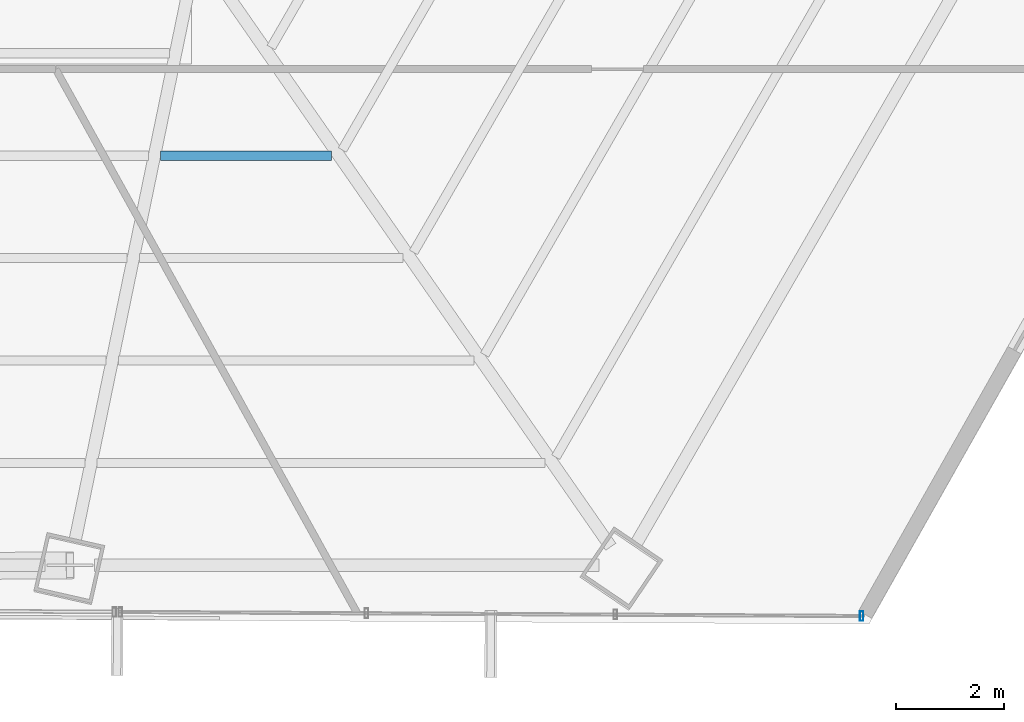
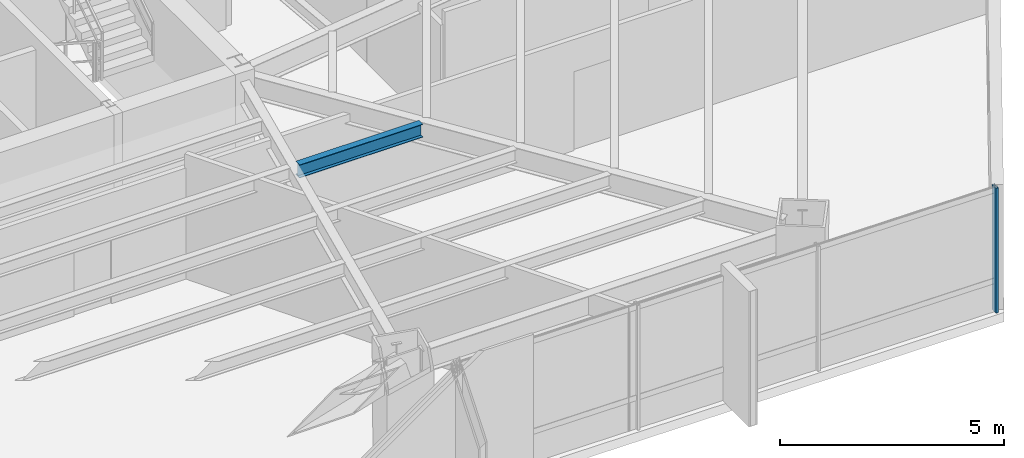
# One storey, part 17 of 36: 1 beam, 1 member, 1 element without a shape of its own.
"""IFC4 building model written with IfcOpenShell, lengths in metres."""

from ifc_helpers import new_model, si_unit, direction, frame, origin, origin_2d, place, context, subcontext, project, spatial, hollow_rectangle, i_section, extrude, source, transform, mapped, material, material_profile, profile_set, type_object, type_shapes, element, aggregate, save


model = new_model("IFC4")

# Units and contexts
model_context = context("Model", 3, precision=1e-05, world=origin(), true_north=direction((0.0, 1.0)))
body_context = subcontext(model_context, "Body", "Model", "MODEL_VIEW")
ifc_project = project(units=[si_unit("LENGTHUNIT", "METRE"), si_unit("AREAUNIT", "SQUARE_METRE"), si_unit("VOLUMEUNIT", "CUBIC_METRE"), si_unit("PLANEANGLEUNIT", "RADIAN"), si_unit("MASSUNIT", "GRAM", prefix="KILO")], contexts=[model_context])

# Site, building, storey
site_placement = place(None, origin())
site = spatial("IfcSite", under=ifc_project, at=site_placement, CompositionType="ELEMENT")
building_placement = place(site_placement, origin())
building = spatial("IfcBuilding", under=site, at=building_placement, Name="Caelisora Broadcast Tower", CompositionType="ELEMENT")
storey_placement = place(building_placement, frame((0.0, 0.0, 83.5)))
storey = spatial("IfcBuildingStorey", under=building, at=storey_placement, Name="L21", CompositionType="ELEMENT", Elevation=83.5)

# Beam
ifc_material_1 = material(Name="Steel Grade 350 (AS/NZS 3679.1)", Category="steel")
ifc_material_profile_1 = material_profile(ifc_material_1, i_section(OverallWidth=0.172119140625, OverallDepth=0.358642578125, WebThickness=0.008056640625, FlangeThickness=0.012939453125, at=origin_2d()), Name="Steel Grade 350 (AS/NZS 3679.1)")
ifc_profile_set_1 = profile_set([ifc_material_profile_1], Name="Steel Grade 350 (AS/NZS 3679.1)")
beam_type = type_object("IfcBeamType", Name="SB02", PredefinedType="JOIST", material=ifc_profile_set_1)
shared_shape_1 = source(origin(), body_context, "Body", "SweptSolid", [
    extrude(i_section(OverallWidth=0.172119140625, OverallDepth=0.358642578125, WebThickness=0.008056640625, FlangeThickness=0.012939453125, at=origin_2d()), origin(), (0.0, 0.0, 1.0), 3.1806640625),
])
type_shapes(beam_type, [shared_shape_1])
beam_placement = place(storey_placement, frame((44.828369140625, 13.59326171875, 3.220703125), z_axis=(1.0, 0.0, 0.0), x_axis=(0.0, 1.0, 0.0)))
element("IfcBeam", 1, at=beam_placement, inside=storey, type_object=beam_type, Name="L21 beam SB02", PredefinedType="JOIST", context=body_context, shape_type="MappedRepresentation", body=[
    mapped(shared_shape_1, transform((0.0, 0.0, 0.0), scale=1.0)),
])

# Curtain wall, member
ifc_material_2 = material(Name="Unitised Aluminium and Low-E Glass Curtain Wall", Category="glass")
curtain_wall_type = type_object("IfcCurtainWallType", Name="CW-Z2", PredefinedType="NOTDEFINED", material=ifc_material_2)
curtain_wall_placement = place(storey_placement, origin())
curtain_wall = element("IfcCurtainWall", 2, at=curtain_wall_placement, inside=storey, type_object=curtain_wall_type, Name="L21 curtain wall CW-Z2", PredefinedType="NOTDEFINED")
ifc_material_3 = material(Name="Aluminium 6063-T6 Anodised Terracotta Bronze", Category="aluminium")
ifc_material_profile_2 = material_profile(ifc_material_3, hollow_rectangle(XDim=0.06494140625, YDim=0.179931640625, WallThickness=0.00341796875, at=origin_2d()), Name="Aluminium 6063-T6 Anodised Terracotta Bronze")
ifc_profile_set_2 = profile_set([ifc_material_profile_2], Name="Aluminium 6063-T6 Anodised Terracotta Bronze")
member_type = type_object("IfcMemberType", Name="CWM-02", PredefinedType="MULLION", material=ifc_profile_set_2)
shared_shape_2 = source(origin(), body_context, "Body", "SweptSolid", [
    extrude(hollow_rectangle(XDim=0.06494140625, YDim=0.179931640625, WallThickness=0.00341796875, at=origin_2d()), origin(), (0.0, 0.0, 1.0), 3.39990234375),
])
type_shapes(member_type, [shared_shape_2])
member_placement = place(storey_placement, frame((57.85888671875, 5.037353515625, 0.0), z_axis=(0.0, 0.0, 1.0), x_axis=(1.0, 0.0, 0.0)))
member = element("IfcMember", 3, at=member_placement, type_object=member_type, Name="L21-CW-B05 mullion #0", PredefinedType="MULLION", context=body_context, shape_type="MappedRepresentation", body=[
    mapped(shared_shape_2, transform((0.0, 0.0, 0.0), scale=1.0)),
])
aggregate(curtain_wall, [member])

save(model, "model.ifc")
